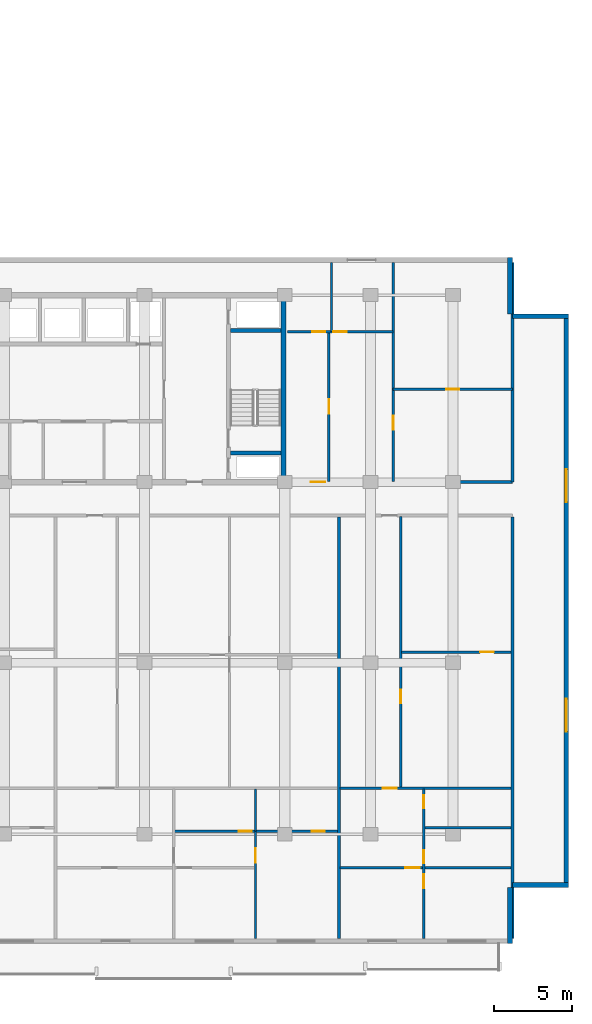
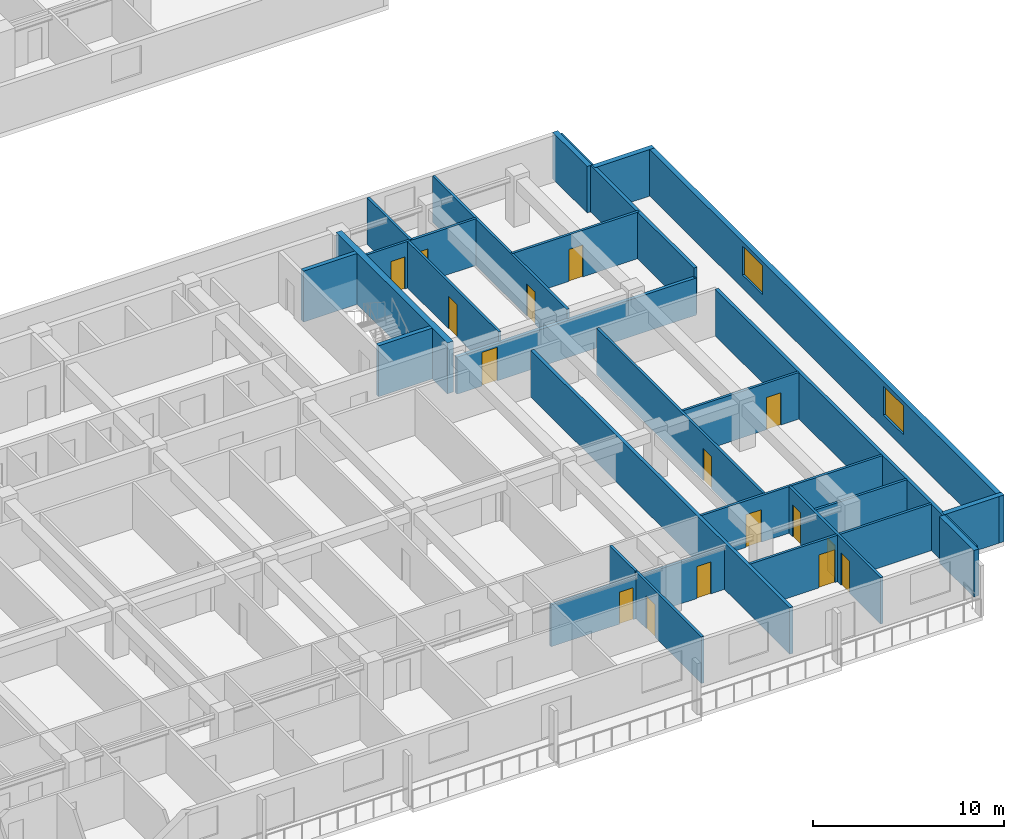
# One storey, part 8 of 23: 26 walls, 16 doors, 2 windows, 18 openings.
"""IFC4 building model written with IfcOpenShell, lengths in metres."""

import ifcopenshell
import ifcopenshell.guid

model = None  # the IFC model being written
_history = None  # IfcOwnerHistory: only IFC2X3 demands one
_inside = {}  # id of a spatial element -> (the spatial element, [elements in it])
_under = {}  # id of a project, library or spatial element -> (it, [spatial elements below it])
_declared = {}  # id of a project -> (the project, [libraries it declares])
_typed = {}  # id of a type object -> (the type object, [elements of that type])
_made_of = {}  # id of a material, layer set ... -> (it, [elements and type objects made of it])


def new_model(schema):
    """Start an empty IFC model of exactly this schema.

    Asked for "IFC4X3", IfcOpenShell would pick the latest addendum, in which some entities
    have other attributes; the version numbers below select the first issue.
    IFC2X3 requires an IfcOwnerHistory on every rooted entity: one is made here for all.
    """
    global model, _history
    if schema == "IFC4X3":
        model = ifcopenshell.file(schema_version=(4, 3, 0, 0))
    else:
        model = ifcopenshell.file(schema=schema)
    _inside.clear()
    _under.clear()
    _declared.clear()
    _typed.clear()
    _made_of.clear()
    _history = None
    if model.schema == "IFC2X3":
        org = make("IfcOrganization", Name="unknown")
        user = make(
            "IfcPersonAndOrganization",
            ThePerson=make("IfcPerson", FamilyName="unknown"),
            TheOrganization=org,
        )
        app = make(
            "IfcApplication",
            ApplicationDeveloper=org,
            Version="unknown",
            ApplicationFullName="unknown",
            ApplicationIdentifier="unknown",
        )
        _history = make(
            "IfcOwnerHistory",
            OwningUser=user,
            OwningApplication=app,
            ChangeAction="ADDED",
            CreationDate=0,
        )
    return model


def make(cls, **values):
    """One entity of the class cls with the attributes given. An attribute that is None is left unset."""
    return model.create_entity(
        cls, **{name: value for name, value in values.items() if value is not None}
    )


def rooted(cls, **values):
    """An entity with a GlobalId (a new one), such as an element, a storey or a relation."""
    return make(cls, GlobalId=ifcopenshell.guid.new(), OwnerHistory=_history, **values)


def si_unit(unit_type, name, prefix=None):
    """IfcSIUnit, for example si_unit("LENGTHUNIT", "METRE", prefix="MILLI")."""
    return make("IfcSIUnit", UnitType=unit_type, Prefix=prefix, Name=name)


def assignment(units):
    """IfcUnitAssignment: the units of a project."""
    return None if units is None else make("IfcUnitAssignment", Units=units)


def point(xyz):
    """IfcCartesianPoint."""
    return None if xyz is None else make("IfcCartesianPoint", Coordinates=xyz)


def direction(xyz):
    """IfcDirection."""
    return None if xyz is None else make("IfcDirection", DirectionRatios=xyz)


def frame(location, z_axis=None, x_axis=None):
    """IfcAxis2Placement3D, a coordinate frame: its origin and axes. An axis left out is left unset."""
    return make(
        "IfcAxis2Placement3D",
        Location=point(location),
        Axis=direction(z_axis),
        RefDirection=direction(x_axis),
    )


def frame_2d(location, x_axis=None):
    """IfcAxis2Placement2D, a coordinate frame in the plane: its origin and x axis."""
    return make(
        "IfcAxis2Placement2D", Location=point(location), RefDirection=direction(x_axis)
    )


def origin():
    """The frame at (0, 0, 0) with its axes left unset."""
    return frame((0.0, 0.0, 0.0))


def place(relative_to, where):
    """IfcLocalPlacement: puts the frame where relative to a parent placement (None: the world)."""
    return make(
        "IfcLocalPlacement", PlacementRelTo=relative_to, RelativePlacement=where
    )


def context(
    kind, dimensions, precision=None, world=None, true_north=None, identifier=None
):
    """IfcGeometricRepresentationContext, for example the 3D "Model" context."""
    return make(
        "IfcGeometricRepresentationContext",
        ContextIdentifier=identifier,
        ContextType=kind,
        CoordinateSpaceDimension=dimensions,
        Precision=precision,
        WorldCoordinateSystem=world,
        TrueNorth=true_north,
    )


def subcontext(parent, identifier, kind, view, scale=None):
    """IfcGeometricRepresentationSubContext, for example "Body" below "Model"."""
    return make(
        "IfcGeometricRepresentationSubContext",
        ContextIdentifier=identifier,
        ContextType=kind,
        ParentContext=parent,
        TargetScale=scale,
        TargetView=view,
    )


def project(units=None, contexts=None):
    """IfcProject with its units and contexts."""
    return rooted(
        "IfcProject",
        Name="project",
        RepresentationContexts=contexts,
        UnitsInContext=assignment(units),
    )


def spatial(cls, under=None, at=None, **own):
    """A site, building, storey or space (cls), placed at a placement, below another one or the project."""
    s = rooted(cls, ObjectPlacement=at, **own)
    if under is not None:
        _under.setdefault(under.id(), (under, []))[1].append(s)
    return s


def profile(cls, at=None, kind="AREA", **sizes):
    """A parametric profile (cls). Its sizes go by their IFC names, for example OverallWidth=200.0."""
    return make(cls, ProfileType=kind, Position=at, **sizes)


def rectangle(**sizes):
    """IfcRectangleProfileDef."""
    return profile("IfcRectangleProfileDef", **sizes)


def extrude(swept, where, along, depth):
    """IfcExtrudedAreaSolid: the profile swept, set in the frame where, extruded along a direction by depth."""
    return make(
        "IfcExtrudedAreaSolid",
        SweptArea=swept,
        Position=where,
        ExtrudedDirection=direction(along),
        Depth=depth,
    )


def shape(context_of_items, identifier, shape_type, items):
    """IfcShapeRepresentation: the items that make up one representation, for example the "Body"."""
    return make(
        "IfcShapeRepresentation",
        ContextOfItems=context_of_items,
        RepresentationIdentifier=identifier,
        RepresentationType=shape_type,
        Items=items,
    )


def material(Name=None, Category=None):
    """IfcMaterial."""
    return make("IfcMaterial", Name=Name, Category=Category)


def layer(
    of_material, thickness, ventilated=None, Name=None, Category=None, Priority=None
):
    """IfcMaterialLayer: one layer of a wall or slab, of a material (None: an air gap)."""
    return make(
        "IfcMaterialLayer",
        Material=of_material,
        LayerThickness=thickness,
        IsVentilated=ventilated,
        Name=Name,
        Category=Category,
        Priority=Priority,
    )


def layer_set(layers, Name=None):
    """IfcMaterialLayerSet."""
    return make("IfcMaterialLayerSet", MaterialLayers=layers, LayerSetName=Name)


def made_of(thing, what):
    """Note that an element or type object is made of a material, layer set ...; save() writes the relation."""
    if what is not None:
        _made_of.setdefault(what.id(), (what, []))[1].append(thing)
    return thing


def type_object(cls, material=None, **own):
    """A type object (cls), such as IfcWallType, which elements share."""
    return made_of(rooted(cls, **own), material)


def element(
    cls,
    number,
    at=None,
    inside=None,
    cuts=None,
    type_object=None,
    material=None,
    context=None,
    identifier="Body",
    shape_type=None,
    held_by="IfcProductDefinitionShape",
    body=None,
    shapes=None,
    **own,
):
    """One element of the class cls, such as IfcWall. Its Tag is "e" and its number.

    at: its placement. inside: the storey or other place that contains it. cuts: it is an
    opening in that element (IfcRelVoidsElement). A single representation is given by context,
    identifier, shape_type and body (its items); several are given by shapes. held_by: the class
    of the entity that holds the representations. save() writes the other relations.
    """
    e = rooted(cls, Tag="e%d" % number, ObjectPlacement=at, **own)
    if body is not None:
        shapes = [shape(context, identifier, shape_type, body)]
    if shapes is not None:
        e.Representation = make(held_by, Representations=shapes)
    if inside is not None:
        _inside.setdefault(inside.id(), (inside, []))[1].append(e)
    if cuts is not None:
        rooted(
            "IfcRelVoidsElement", RelatingBuildingElement=cuts, RelatedOpeningElement=e
        )
    if type_object is not None:
        _typed.setdefault(type_object.id(), (type_object, []))[1].append(e)
    return made_of(e, material)


def fill(opening, filler):
    """IfcRelFillsElement: the door or window that sits in an opening."""
    return rooted(
        "IfcRelFillsElement",
        RelatingOpeningElement=opening,
        RelatedBuildingElement=filler,
    )


def aggregate(whole, parts):
    """IfcRelAggregates: a whole, such as a stair, and the parts it consists of."""
    return rooted("IfcRelAggregates", RelatingObject=whole, RelatedObjects=parts)


def save(model, path):
    """Write the relations noted so far, then the file.

    IfcRelAggregates (storeys below a building ...), IfcRelContainedInSpatialStructure (elements
    in a storey), IfcRelDefinesByType, IfcRelAssociatesMaterial and IfcRelDeclares: one each for
    every whole, place, type object, material and project.
    """
    for whole, parts in _under.values():
        aggregate(whole, parts)
    for where, things in _inside.values():
        rooted(
            "IfcRelContainedInSpatialStructure",
            RelatedElements=things,
            RelatingStructure=where,
        )
    for kind, things in _typed.values():
        rooted("IfcRelDefinesByType", RelatedObjects=things, RelatingType=kind)
    for what, things in _made_of.values():
        rooted("IfcRelAssociatesMaterial", RelatedObjects=things, RelatingMaterial=what)
    for by, libraries in _declared.values():
        rooted("IfcRelDeclares", RelatingContext=by, RelatedDefinitions=libraries)
    model.write(path)


model = new_model("IFC4")

# Units and contexts
model_context = context("Model", 3, precision=1e-05, world=origin(), true_north=direction((0.0, 1.0)))
body_context = subcontext(model_context, "Body", "Model", "MODEL_VIEW")
ifc_project = project(units=[si_unit("LENGTHUNIT", "METRE"), si_unit("AREAUNIT", "SQUARE_METRE"), si_unit("VOLUMEUNIT", "CUBIC_METRE"), si_unit("PLANEANGLEUNIT", "RADIAN"), si_unit("MASSUNIT", "GRAM", prefix="KILO")], contexts=[model_context])

# Site, building, storey
site_placement = place(None, origin())
site = spatial("IfcSite", under=ifc_project, at=site_placement, CompositionType="ELEMENT")
building_placement = place(site_placement, origin())
building = spatial("IfcBuilding", under=site, at=building_placement, Name="Korimba Cascade Residences", CompositionType="ELEMENT")
storey_placement = place(building_placement, frame((0.0, 0.0, 46.75)))
storey = spatial("IfcBuildingStorey", under=building, at=storey_placement, Name="L12", CompositionType="ELEMENT", Elevation=46.75)

# Walls
ifc_material_1 = material(Name="Precast concrete C40/50", Category="concrete")
ifc_layer_1 = layer(ifc_material_1, 0.300048828125)
ifc_layer_set_1 = layer_set([ifc_layer_1], Name="Precast concrete C40/50")
wall_type_1 = type_object("IfcWallType", Name="EW-STONE-300", PredefinedType="STANDARD", material=ifc_layer_set_1)
wall_1_placement = place(storey_placement, frame((132.550048828125, -11.199951171875, 0.0), z_axis=(0.0, 0.0, 1.0), x_axis=(0.0, 1.0, 0.0)))
element("IfcWall", 1, at=wall_1_placement, inside=storey, type_object=wall_type_1, Name="L12 T2 Perimeter Stone Wall E01", PredefinedType="STANDARD", context=body_context, shape_type="SweptSolid", body=[
    extrude(rectangle(XDim=3.599853515625, YDim=0.300048828125, at=frame_2d((1.7998046875, 0.0))), origin(), (0.0, 0.0, 1.0), 2.969970703125),
])
wall_2_placement = place(storey_placement, frame((132.699951171875, -7.449951171875, 0.0), z_axis=(0.0, 0.0, 1.0), x_axis=(1.0, 0.0, 0.0)))
element("IfcWall", 2, at=wall_2_placement, inside=storey, type_object=wall_type_1, Name="L12 T2 Perimeter Stone Wall E02", PredefinedType="STANDARD", context=body_context, shape_type="SweptSolid", body=[
    extrude(rectangle(XDim=3.60009765625, YDim=0.300048828125, at=frame_2d((1.800048828125, 0.0))), origin(), (0.0, 0.0, 1.0), 2.969970703125),
])

# Wall, openings, windows
wall_3_placement = place(storey_placement, frame((136.14990234375, -7.60009765625, 0.0), z_axis=(0.0, 0.0, 1.0), x_axis=(0.0, 1.0, 0.0)))
wall_3 = element("IfcWall", 3, at=wall_3_placement, inside=storey, type_object=wall_type_1, Name="L12 T2 Perimeter Stone Wall E03", PredefinedType="STANDARD", context=body_context, shape_type="SweptSolid", body=[
    extrude(rectangle(XDim=36.800048828125, YDim=0.300048828125, at=frame_2d((18.39990234375, 0.0))), origin(), (0.0, 0.0, 1.0), 2.969970703125),
])
opening_1_placement = place(wall_3_placement, frame((9.989990234375, 0.0, 0.85009765625)))
opening_1 = element("IfcOpeningElement", 4, at=opening_1_placement, cuts=wall_3, Name="Opening W-03", PredefinedType="OPENING", context=body_context, shape_type="SweptSolid", body=[
    extrude(rectangle(XDim=2.10009765625, YDim=1.85009765625, at=frame_2d((1.050048828125, 0.925048828125))), frame((0.0, 0.16015625, 0.0), z_axis=(0.0, -1.0, 0.0), x_axis=(1.0, 0.0, 0.0)), (0.0, 0.0, 1.0), 0.320068359375),
])
opening_2_placement = place(wall_3_placement, frame((24.7099609375, 0.0, 0.85009765625)))
opening_2 = element("IfcOpeningElement", 5, at=opening_2_placement, cuts=wall_3, Name="Opening W-03", PredefinedType="OPENING", context=body_context, shape_type="SweptSolid", body=[
    extrude(rectangle(XDim=2.10009765625, YDim=1.85009765625, at=frame_2d((1.050048828125, 0.925048828125))), frame((0.0, 0.16015625, 0.0), z_axis=(0.0, -1.0, 0.0), x_axis=(1.0, 0.0, 0.0)), (0.0, 0.0, 1.0), 0.320068359375),
])
ifc_material_2 = material(Name="Double-Glazed Aluminium Window", Category="aluminium")
window_type = type_object("IfcWindowType", Name="WIN-CRN-2100", PartitioningType="DOUBLE_PANEL_HORIZONTAL", PredefinedType="WINDOW", material=ifc_material_2)
window_1_placement = place(opening_1_placement, origin())
window_1 = element("IfcWindow", 6, at=window_1_placement, inside=storey, type_object=window_type, Name="L12 T2 End View Window 3.1", OverallHeight=1.85009765625, OverallWidth=2.10009765625, PartitioningType="DOUBLE_PANEL_HORIZONTAL", PredefinedType="WINDOW", context=body_context, shape_type="SweptSolid", body=[
    extrude(rectangle(XDim=2.10009765625, YDim=1.85009765625, at=frame_2d((1.050048828125, 0.925048828125))), frame((0.0, 0.030029296875, 0.0), z_axis=(0.0, -1.0, 0.0), x_axis=(1.0, 0.0, 0.0)), (0.0, 0.0, 1.0), 0.06005859375),
])
fill(opening_1, window_1)
window_2_placement = place(opening_2_placement, origin())
window_2 = element("IfcWindow", 7, at=window_2_placement, inside=storey, type_object=window_type, Name="L12 T2 End View Window 3.2", OverallHeight=1.85009765625, OverallWidth=2.10009765625, PartitioningType="DOUBLE_PANEL_HORIZONTAL", PredefinedType="WINDOW", context=body_context, shape_type="SweptSolid", body=[
    extrude(rectangle(XDim=2.10009765625, YDim=1.85009765625, at=frame_2d((1.050048828125, 0.925048828125))), frame((0.0, 0.030029296875, 0.0), z_axis=(0.0, -1.0, 0.0), x_axis=(1.0, 0.0, 0.0)), (0.0, 0.0, 1.0), 0.06005859375),
])
fill(opening_2, window_2)

# Walls
for number, where, z_axis, x_axis, name in (
    (8, (136.300048828125, 29.050048828125, 0.0), (0.0, 0.0, 1.0), (-1.0, 0.0, 0.0), "L12 T2 Perimeter Stone Wall E04"),
    (9, (132.550048828125, 29.199951171875, 0.0), (0.0, 0.0, 1.0), (0.0, 1.0, 0.0), "L12 T2 Perimeter Stone Wall E05"),
):
    element("IfcWall", number, at=place(storey_placement, frame(where, z_axis=z_axis, x_axis=x_axis)), inside=storey, type_object=wall_type_1, Name=name, PredefinedType="STANDARD", context=body_context, shape_type="SweptSolid", body=[
        extrude(rectangle(XDim=3.60009765625, YDim=0.300048828125, at=frame_2d((1.800048828125, 0.0))), origin(), (0.0, 0.0, 1.0), 2.969970703125),
    ])
ifc_material_3 = material(Name="Concrete C65/80", Category="concrete")
ifc_layer_2 = layer(ifc_material_3, 0.35009765625)
ifc_layer_set_2 = layer_set([ifc_layer_2], Name="Concrete C65/80")
wall_type_2 = type_object("IfcWallType", Name="WAL-CORE-350", PredefinedType="SHEAR", material=ifc_layer_set_2)
wall_4_placement = place(storey_placement, frame((118.014892578125, 18.574951171875, 0.0), z_axis=(0.0, 0.0, 1.0), x_axis=(0.0, 1.0, 0.0)))
element("IfcWall", 10, at=wall_4_placement, inside=storey, type_object=wall_type_2, Name="L12 Core Shear Wall CW-L12-T2-E", PredefinedType="SHEAR", context=body_context, shape_type="SweptSolid", body=[
    extrude(rectangle(XDim=11.650146484375, YDim=0.35009765625, at=frame_2d((5.8251953125, 0.0))), origin(), (0.0, 0.0, 1.0), 3.25),
])
ifc_layer_3 = layer(ifc_material_1, 0.199951171875)
ifc_layer_set_3 = layer_set([ifc_layer_3], Name="Precast concrete C40/50")
wall_type_3 = type_object("IfcWallType", Name="WAL-IT-200", PredefinedType="PARTITIONING", material=ifc_layer_set_3)
wall_5_placement = place(storey_placement, frame((132.699951171875, 18.39990234375, 0.0), z_axis=(0.0, 0.0, 1.0), x_axis=(0.0, 1.0, 0.0)))
element("IfcWall", 11, at=wall_5_placement, inside=storey, type_object=wall_type_3, Name="L12 Partition Wall WAL-L12-T2-FE-WR", PredefinedType="PARTITIONING", context=body_context, shape_type="SweptSolid", body=[
    extrude(rectangle(XDim=14.10009765625, YDim=0.199951171875, at=frame_2d((7.050048828125, 0.0))), origin(), (0.0, 0.0, 1.0), 2.969970703125),
])

# Wall, opening, door
wall_6_placement = place(storey_placement, frame((118.25, 18.39990234375, 0.0), z_axis=(0.0, 0.0, 1.0), x_axis=(1.0, 0.0, 0.0)))
wall_6 = element("IfcWall", 12, at=wall_6_placement, inside=storey, type_object=wall_type_3, Name="L12 Partition Wall WAL-L12-T2-FE-S", PredefinedType="PARTITIONING", context=body_context, shape_type="SweptSolid", body=[
    extrude(rectangle(XDim=14.449951171875, YDim=0.199951171875, at=frame_2d((7.22509765625, 0.0))), origin(), (0.0, 0.0, 1.0), 2.3701171875),
])
opening_3_placement = place(wall_6_placement, frame((1.510009765625, 0.0, 0.0)))
opening_3 = element("IfcOpeningElement", 13, at=opening_3_placement, cuts=wall_6, Name="Opening D-UN1", PredefinedType="OPENING", context=body_context, shape_type="SweptSolid", body=[
    extrude(rectangle(XDim=0.949951171875, YDim=2.14990234375, at=frame_2d((0.47509765625, 1.074951171875))), frame((0.0, 0.10986328125, 0.0), z_axis=(0.0, -1.0, 0.0), x_axis=(1.0, 0.0, 0.0)), (0.0, 0.0, 1.0), 0.219970703125),
])
ifc_material_4 = material(Name="Fire-Rated Hardwood Apartment Entrance Door", Category="wood")
door_type_1 = type_object("IfcDoorType", Name="DR-FD60-950", OperationType="NOTDEFINED", PredefinedType="DOOR", material=ifc_material_4)
door_1_placement = place(opening_3_placement, origin())
door_1 = element("IfcDoor", 14, at=door_1_placement, inside=storey, type_object=door_type_1, Name="L12-T2-FE Entrance Door", OperationType="SINGLE_SWING_RIGHT", OverallHeight=2.14990234375, OverallWidth=0.949951171875, PredefinedType="DOOR", context=body_context, shape_type="SweptSolid", body=[
    extrude(rectangle(XDim=0.949951171875, YDim=2.14990234375, at=frame_2d((0.47509765625, 1.074951171875))), frame((0.0, 0.02490234375, 0.0), z_axis=(0.0, -1.0, 0.0), x_axis=(1.0, 0.0, 0.0)), (0.0, 0.0, 1.0), 0.050048828125),
])
fill(opening_3, door_1)

# Walls
for number, where, z_axis, x_axis, name in (
    (15, (132.699951171875, -10.89990234375, 0.0), (0.0, 0.0, 1.0), (0.0, 1.0, 0.0), "L12 Partition Wall WAL-L12-T2-BNDWR"),
    (16, (121.570068359375, -10.89990234375, 0.0), (0.0, 0.0, 1.0), (0.0, 1.0, 0.0), "L12 Partition Wall WAL-L12-T2-DEM-3"),
):
    element("IfcWall", number, at=place(storey_placement, frame(where, z_axis=z_axis, x_axis=x_axis)), inside=storey, type_object=wall_type_3, Name=name, PredefinedType="PARTITIONING", context=body_context, shape_type="SweptSolid", body=[
        extrude(rectangle(XDim=27.06982421875, YDim=0.199951171875, at=frame_2d((13.534912109375, 0.0))), origin(), (0.0, 0.0, 1.0), 2.969970703125),
    ])

# Wall, opening, door
ifc_material_5 = material(Name="Insulated Acoustic Stud Partition", Category="gypsum")
ifc_layer_4 = layer(ifc_material_5, 0.14990234375)
ifc_layer_set_4 = layer_set([ifc_layer_4], Name="Insulated Acoustic Stud Partition")
wall_type_4 = type_object("IfcWallType", Name="WAL-PART-150", PredefinedType="PARTITIONING", material=ifc_layer_set_4)
wall_7_placement = place(storey_placement, frame((125.050048828125, 24.35009765625, 0.0), z_axis=(0.0, 0.0, 1.0), x_axis=(1.0, 0.0, 0.0)))
wall_7 = element("IfcWall", 17, at=wall_7_placement, inside=storey, type_object=wall_type_4, Name="L12 Partition Wall WAL-L12-T2-FE-STH", PredefinedType="PARTITIONING", context=body_context, shape_type="SweptSolid", body=[
    extrude(rectangle(XDim=7.64990234375, YDim=0.14990234375, at=frame_2d((3.824951171875, 0.0))), origin(), (0.0, 0.0, 1.0), 2.969970703125),
])
opening_4_placement = place(wall_7_placement, frame((3.405029296875, 0.0, 0.0)))
opening_4 = element("IfcOpeningElement", 18, at=opening_4_placement, cuts=wall_7, Name="Opening D-BT1", PredefinedType="OPENING", context=body_context, shape_type="SweptSolid", body=[
    extrude(rectangle(XDim=0.840087890625, YDim=2.0400390625, at=frame_2d((0.419921875, 1.02001953125))), frame((0.0, 0.0849609375, 0.0), z_axis=(0.0, -1.0, 0.0), x_axis=(1.0, 0.0, 0.0)), (0.0, 0.0, 1.0), 0.169921875),
])
ifc_material_6 = material(Name="Moisture-Resistant Bathroom Timber Door", Category="wood")
door_type_2 = type_object("IfcDoorType", Name="DR-INT-850", OperationType="NOTDEFINED", PredefinedType="DOOR", material=ifc_material_6)
door_2_placement = place(opening_4_placement, origin())
door_2 = element("IfcDoor", 19, at=door_2_placement, inside=storey, type_object=door_type_2, Name="L12-T2-FE Dressing Store Door", OperationType="SINGLE_SWING_LEFT", OverallHeight=2.0400390625, OverallWidth=0.840087890625, PredefinedType="DOOR", context=body_context, shape_type="SweptSolid", body=[
    extrude(rectangle(XDim=0.840087890625, YDim=2.0400390625, at=frame_2d((0.419921875, 1.02001953125))), frame((0.0, 0.02490234375, 0.0), z_axis=(0.0, -1.0, 0.0), x_axis=(1.0, 0.0, 0.0)), (0.0, 0.0, 1.0), 0.050048828125),
])
fill(opening_4, door_2)

wall_8_placement = place(storey_placement, frame((125.050048828125, 18.449951171875, 0.0), z_axis=(0.0, 0.0, 1.0), x_axis=(0.0, 1.0, 0.0)))
wall_8 = element("IfcWall", 20, at=wall_8_placement, inside=storey, type_object=wall_type_4, Name="L12 Partition Wall WAL-L12-T2-FE-STV", PredefinedType="PARTITIONING", context=body_context, shape_type="SweptSolid", body=[
    extrude(rectangle(XDim=14.050048828125, YDim=0.14990234375, at=frame_2d((7.02490234375, 0.0))), origin(), (0.0, 0.0, 1.0), 2.969970703125),
])
opening_5_placement = place(wall_8_placement, frame((3.320068359375, 0.0, 0.0)))
opening_5 = element("IfcOpeningElement", 21, at=opening_5_placement, cuts=wall_8, Name="Opening D-IN2", PredefinedType="OPENING", context=body_context, shape_type="SweptSolid", body=[
    extrude(rectangle(XDim=0.8798828125, YDim=2.06005859375, at=frame_2d((0.43994140625, 1.030029296875))), frame((0.0, 0.0849609375, 0.0), z_axis=(0.0, -1.0, 0.0), x_axis=(1.0, 0.0, 0.0)), (0.0, 0.0, 1.0), 0.169921875),
])
ifc_material_7 = material(Name="Acoustic Timber Bedroom Door", Category="wood")
door_type_3 = type_object("IfcDoorType", Name="DR-INT-880", OperationType="NOTDEFINED", PredefinedType="DOOR", material=ifc_material_7)
door_3_placement = place(opening_5_placement, origin())
door_3 = element("IfcDoor", 22, at=door_3_placement, inside=storey, type_object=door_type_3, Name="L12-T2-FE Study Door", OperationType="SINGLE_SWING_RIGHT", OverallHeight=2.06005859375, OverallWidth=0.8798828125, PredefinedType="DOOR", context=body_context, shape_type="SweptSolid", body=[
    extrude(rectangle(XDim=0.8798828125, YDim=2.06005859375, at=frame_2d((0.43994140625, 1.030029296875))), frame((0.0, 0.02490234375, 0.0), z_axis=(0.0, -1.0, 0.0), x_axis=(1.0, 0.0, 0.0)), (0.0, 0.0, 1.0), 0.050048828125),
])
fill(opening_5, door_3)

wall_9_placement = place(storey_placement, frame((120.929931640625, 18.449951171875, 0.0), z_axis=(0.0, 0.0, 1.0), x_axis=(0.0, 1.0, 0.0)))
wall_9 = element("IfcWall", 23, at=wall_9_placement, inside=storey, type_object=wall_type_4, Name="L12 Partition Wall WAL-L12-T2-FE-VS", PredefinedType="PARTITIONING", context=body_context, shape_type="SweptSolid", body=[
    extrude(rectangle(XDim=9.60009765625, YDim=0.14990234375, at=frame_2d((4.800048828125, 0.0))), origin(), (0.0, 0.0, 1.0), 2.969970703125),
])
opening_6_placement = place(wall_9_placement, frame((4.340087890625, 0.0, 0.0)))
opening_6 = element("IfcOpeningElement", 24, at=opening_6_placement, cuts=wall_9, Name="Opening D-IN1", PredefinedType="OPENING", context=body_context, shape_type="SweptSolid", body=[
    extrude(rectangle(XDim=0.919921875, YDim=2.080078125, at=frame_2d((0.4599609375, 1.0400390625))), frame((0.0, 0.0849609375, 0.0), z_axis=(0.0, -1.0, 0.0), x_axis=(1.0, 0.0, 0.0)), (0.0, 0.0, 1.0), 0.169921875),
])
ifc_material_8 = material(Name="Acoustic Timber Living Door", Category="wood")
door_type_4 = type_object("IfcDoorType", Name="DR-INT-920", OperationType="NOTDEFINED", PredefinedType="DOOR", material=ifc_material_8)
door_4_placement = place(opening_6_placement, origin())
door_4 = element("IfcDoor", 25, at=door_4_placement, inside=storey, type_object=door_type_4, Name="L12-T2-FE Living Door", OperationType="SINGLE_SWING_LEFT", OverallHeight=2.080078125, OverallWidth=0.919921875, PredefinedType="DOOR", context=body_context, shape_type="SweptSolid", body=[
    extrude(rectangle(XDim=0.919921875, YDim=2.080078125, at=frame_2d((0.4599609375, 1.0400390625))), frame((0.0, 0.02490234375, 0.0), z_axis=(0.0, -1.0, 0.0), x_axis=(1.0, 0.0, 0.0)), (0.0, 0.0, 1.0), 0.050048828125),
])
fill(opening_6, door_4)

# Wall
wall_10_placement = place(storey_placement, frame((121.10009765625, 28.050048828125, 0.0), z_axis=(0.0, 0.0, 1.0), x_axis=(0.0, 1.0, 0.0)))
element("IfcWall", 26, at=wall_10_placement, inside=storey, type_object=wall_type_4, Name="L12 Partition Wall WAL-L12-T2-FE-VN", PredefinedType="PARTITIONING", context=body_context, shape_type="SweptSolid", body=[
    extrude(rectangle(XDim=4.449951171875, YDim=0.14990234375, at=frame_2d((2.22509765625, 0.0))), origin(), (0.0, 0.0, 1.0), 2.969970703125),
])

# Wall, openings, doors
wall_11_placement = place(storey_placement, frame((118.27001953125, 28.050048828125, 0.0), z_axis=(0.0, 0.0, 1.0), x_axis=(1.0, 0.0, 0.0)))
wall_11 = element("IfcWall", 27, at=wall_11_placement, inside=storey, type_object=wall_type_4, Name="L12 Partition Wall WAL-L12-T2-FE-H", PredefinedType="PARTITIONING", context=body_context, shape_type="SweptSolid", body=[
    extrude(rectangle(XDim=6.760009765625, YDim=0.14990234375, at=frame_2d((3.3798828125, 0.0))), origin(), (0.0, 0.0, 1.0), 2.969970703125),
])
opening_7_placement = place(wall_11_placement, frame((1.58740234375, 0.0, 0.0)))
opening_7 = element("IfcOpeningElement", 28, at=opening_7_placement, cuts=wall_11, Name="Opening D-BT1", PredefinedType="OPENING", context=body_context, shape_type="SweptSolid", body=[
    extrude(rectangle(XDim=0.840087890625, YDim=2.0400390625, at=frame_2d((0.419921875, 1.02001953125))), frame((0.0, 0.0849609375, 0.0), z_axis=(0.0, -1.0, 0.0), x_axis=(1.0, 0.0, 0.0)), (0.0, 0.0, 1.0), 0.169921875),
])
opening_8_placement = place(wall_11_placement, frame((2.93408203125, 0.0, 0.0)))
opening_8 = element("IfcOpeningElement", 29, at=opening_8_placement, cuts=wall_11, Name="Opening D-IN2", PredefinedType="OPENING", context=body_context, shape_type="SweptSolid", body=[
    extrude(rectangle(XDim=0.8798828125, YDim=2.06005859375, at=frame_2d((0.43994140625, 1.030029296875))), frame((0.0, 0.0849609375, 0.0), z_axis=(0.0, -1.0, 0.0), x_axis=(1.0, 0.0, 0.0)), (0.0, 0.0, 1.0), 0.169921875),
])
door_5_placement = place(opening_7_placement, origin())
door_5 = element("IfcDoor", 30, at=door_5_placement, inside=storey, type_object=door_type_2, Name="L12-T2-FE Bathroom Door", OperationType="SINGLE_SWING_RIGHT", OverallHeight=2.0400390625, OverallWidth=0.840087890625, PredefinedType="DOOR", context=body_context, shape_type="SweptSolid", body=[
    extrude(rectangle(XDim=0.840087890625, YDim=2.0400390625, at=frame_2d((0.419921875, 1.02001953125))), frame((0.0, 0.02490234375, 0.0), z_axis=(0.0, -1.0, 0.0), x_axis=(1.0, 0.0, 0.0)), (0.0, 0.0, 1.0), 0.050048828125),
])
fill(opening_7, door_5)
door_6_placement = place(opening_8_placement, origin())
door_6 = element("IfcDoor", 31, at=door_6_placement, inside=storey, type_object=door_type_3, Name="L12-T2-FE Bedroom Door", OperationType="SINGLE_SWING_LEFT", OverallHeight=2.06005859375, OverallWidth=0.8798828125, PredefinedType="DOOR", context=body_context, shape_type="SweptSolid", body=[
    extrude(rectangle(XDim=0.8798828125, YDim=2.06005859375, at=frame_2d((0.43994140625, 1.030029296875))), frame((0.0, 0.02490234375, 0.0), z_axis=(0.0, -1.0, 0.0), x_axis=(1.0, 0.0, 0.0)), (0.0, 0.0, 1.0), 0.050048828125),
])
fill(opening_8, door_6)

# Wall
wall_12_placement = place(storey_placement, frame((116.219970703125, -3.97998046875, 0.0), z_axis=(0.0, 0.0, 1.0), x_axis=(0.0, 1.0, 0.0)))
element("IfcWall", 32, at=wall_12_placement, inside=storey, type_object=wall_type_4, Name="L12 Partition Wall WAL-L12-T2-U03-VBATH", PredefinedType="PARTITIONING", context=body_context, shape_type="SweptSolid", body=[
    extrude(rectangle(XDim=2.68994140625, YDim=0.14990234375, at=frame_2d((1.344970703125, 0.0))), origin(), (0.0, 0.0, 1.0), 2.969970703125),
])

# Wall, opening, door
wall_13_placement = place(storey_placement, frame((116.219970703125, -10.89990234375, 0.0), z_axis=(0.0, 0.0, 1.0), x_axis=(0.0, 1.0, 0.0)))
wall_13 = element("IfcWall", 33, at=wall_13_placement, inside=storey, type_object=wall_type_4, Name="L12 Partition Wall WAL-L12-T2-U03-V2FULL", PredefinedType="PARTITIONING", context=body_context, shape_type="SweptSolid", body=[
    extrude(rectangle(XDim=6.8798828125, YDim=0.14990234375, at=frame_2d((3.43994140625, 0.0))), origin(), (0.0, 0.0, 1.0), 2.969970703125),
])
opening_9_placement = place(wall_13_placement, frame((4.8701171875, 0.0, 0.0)))
opening_9 = element("IfcOpeningElement", 34, at=opening_9_placement, cuts=wall_13, Name="Opening D-IN1", PredefinedType="OPENING", context=body_context, shape_type="SweptSolid", body=[
    extrude(rectangle(XDim=0.919921875, YDim=2.080078125, at=frame_2d((0.4599609375, 1.0400390625))), frame((0.0, 0.0849609375, 0.0), z_axis=(0.0, -1.0, 0.0), x_axis=(1.0, 0.0, 0.0)), (0.0, 0.0, 1.0), 0.169921875),
])
door_7_placement = place(opening_9_placement, origin())
door_7 = element("IfcDoor", 35, at=door_7_placement, inside=storey, type_object=door_type_4, Name="L12-T2-U03 Master Bedroom Door", OperationType="SINGLE_SWING_RIGHT", OverallHeight=2.080078125, OverallWidth=0.919921875, PredefinedType="DOOR", context=body_context, shape_type="SweptSolid", body=[
    extrude(rectangle(XDim=0.919921875, YDim=2.080078125, at=frame_2d((0.4599609375, 1.0400390625))), frame((0.0, 0.02490234375, 0.0), z_axis=(0.0, -1.0, 0.0), x_axis=(1.0, 0.0, 0.0)), (0.0, 0.0, 1.0), 0.050048828125),
])
fill(opening_9, door_7)

# Wall, openings, doors
wall_14_placement = place(storey_placement, frame((111.02001953125, -4.0, 0.0), z_axis=(0.0, 0.0, 1.0), x_axis=(1.0, 0.0, 0.0)))
wall_14 = element("IfcWall", 36, at=wall_14_placement, inside=storey, type_object=wall_type_4, Name="L12 Partition Wall WAL-L12-T2-U03-HWALL", PredefinedType="PARTITIONING", context=body_context, shape_type="SweptSolid", body=[
    extrude(rectangle(XDim=10.469970703125, YDim=0.14990234375, at=frame_2d((5.23486328125, 0.0))), origin(), (0.0, 0.0, 1.0), 2.663330078125),
])
opening_10_placement = place(wall_14_placement, frame((4.110107421875, 0.0, 0.0)))
opening_10 = element("IfcOpeningElement", 37, at=opening_10_placement, cuts=wall_14, Name="Opening D-BT1", PredefinedType="OPENING", context=body_context, shape_type="SweptSolid", body=[
    extrude(rectangle(XDim=0.840087890625, YDim=2.0400390625, at=frame_2d((0.419921875, 1.02001953125))), frame((0.0, 0.0849609375, 0.0), z_axis=(0.0, -1.0, 0.0), x_axis=(1.0, 0.0, 0.0)), (0.0, 0.0, 1.0), 0.169921875),
])
opening_11_placement = place(wall_14_placement, frame((8.79541015625, 0.0, 0.0)))
opening_11 = element("IfcOpeningElement", 38, at=opening_11_placement, cuts=wall_14, Name="Opening D-BT1", PredefinedType="OPENING", context=body_context, shape_type="SweptSolid", body=[
    extrude(rectangle(XDim=0.840087890625, YDim=2.0400390625, at=frame_2d((0.419921875, 1.02001953125))), frame((0.0, 0.0849609375, 0.0), z_axis=(0.0, -1.0, 0.0), x_axis=(1.0, 0.0, 0.0)), (0.0, 0.0, 1.0), 0.169921875),
])
door_8_placement = place(opening_10_placement, origin())
door_8 = element("IfcDoor", 39, at=door_8_placement, inside=storey, type_object=door_type_2, Name="L12-T2-U03 Family Bathroom Door", OperationType="SINGLE_SWING_LEFT", OverallHeight=2.0400390625, OverallWidth=0.840087890625, PredefinedType="DOOR", context=body_context, shape_type="SweptSolid", body=[
    extrude(rectangle(XDim=0.840087890625, YDim=2.0400390625, at=frame_2d((0.419921875, 1.02001953125))), frame((0.0, 0.02490234375, 0.0), z_axis=(0.0, -1.0, 0.0), x_axis=(1.0, 0.0, 0.0)), (0.0, 0.0, 1.0), 0.050048828125),
])
fill(opening_10, door_8)
door_9_placement = place(opening_11_placement, origin())
door_9 = element("IfcDoor", 40, at=door_9_placement, inside=storey, type_object=door_type_2, Name="L12-T2-U03 En-Suite Door", OperationType="SINGLE_SWING_RIGHT", OverallHeight=2.0400390625, OverallWidth=0.840087890625, PredefinedType="DOOR", context=body_context, shape_type="SweptSolid", body=[
    extrude(rectangle(XDim=0.840087890625, YDim=2.0400390625, at=frame_2d((0.419921875, 1.02001953125))), frame((0.0, 0.02490234375, 0.0), z_axis=(0.0, -1.0, 0.0), x_axis=(1.0, 0.0, 0.0)), (0.0, 0.0, 1.0), 0.050048828125),
])
fill(opening_11, door_9)

# Wall, opening, door
wall_15_placement = place(storey_placement, frame((125.60009765625, 7.489990234375, 0.0), z_axis=(0.0, 0.0, 1.0), x_axis=(1.0, 0.0, 0.0)))
wall_15 = element("IfcWall", 41, at=wall_15_placement, inside=storey, type_object=wall_type_4, Name="L12 Partition Wall WAL-L12-T2-U04-FMH", PredefinedType="PARTITIONING", context=body_context, shape_type="SweptSolid", body=[
    extrude(rectangle(XDim=7.02001953125, YDim=0.14990234375, at=frame_2d((3.510009765625, 0.0))), origin(), (0.0, 0.0, 1.0), 2.969970703125),
])
opening_12_placement = place(wall_15_placement, frame((5.0283203125, 0.0, 0.0)))
opening_12 = element("IfcOpeningElement", 42, at=opening_12_placement, cuts=wall_15, Name="Opening D-IN2", PredefinedType="OPENING", context=body_context, shape_type="SweptSolid", body=[
    extrude(rectangle(XDim=0.8798828125, YDim=2.06005859375, at=frame_2d((0.43994140625, 1.030029296875))), frame((0.0, 0.0849609375, 0.0), z_axis=(0.0, -1.0, 0.0), x_axis=(1.0, 0.0, 0.0)), (0.0, 0.0, 1.0), 0.169921875),
])
door_10_placement = place(opening_12_placement, origin())
door_10 = element("IfcDoor", 43, at=door_10_placement, inside=storey, type_object=door_type_3, Name="L12-T2-U04 Library Salon Door", OperationType="SINGLE_SWING_RIGHT", OverallHeight=2.06005859375, OverallWidth=0.8798828125, PredefinedType="DOOR", context=body_context, shape_type="SweptSolid", body=[
    extrude(rectangle(XDim=0.8798828125, YDim=2.06005859375, at=frame_2d((0.43994140625, 1.030029296875))), frame((0.0, 0.02490234375, 0.0), z_axis=(0.0, -1.0, 0.0), x_axis=(1.0, 0.0, 0.0)), (0.0, 0.0, 1.0), 0.050048828125),
])
fill(opening_12, door_10)

wall_16_placement = place(storey_placement, frame((125.5400390625, -1.2099609375, 0.0), z_axis=(0.0, 0.0, 1.0), x_axis=(0.0, 1.0, 0.0)))
wall_16 = element("IfcWall", 44, at=wall_16_placement, inside=storey, type_object=wall_type_4, Name="L12 Partition Wall WAL-L12-T2-U04-FV", PredefinedType="PARTITIONING", context=body_context, shape_type="SweptSolid", body=[
    extrude(rectangle(XDim=17.39990234375, YDim=0.14990234375, at=frame_2d((8.699951171875, 0.0))), origin(), (0.0, 0.0, 1.0), 2.969970703125),
])
opening_13_placement = place(wall_16_placement, frame((5.404052734375, 0.0, 0.0)))
opening_13 = element("IfcOpeningElement", 45, at=opening_13_placement, cuts=wall_16, Name="Opening D-IN2", PredefinedType="OPENING", context=body_context, shape_type="SweptSolid", body=[
    extrude(rectangle(XDim=0.8798828125, YDim=2.06005859375, at=frame_2d((0.43994140625, 1.030029296875))), frame((0.0, 0.0849609375, 0.0), z_axis=(0.0, -1.0, 0.0), x_axis=(1.0, 0.0, 0.0)), (0.0, 0.0, 1.0), 0.169921875),
])
door_11_placement = place(opening_13_placement, origin())
door_11 = element("IfcDoor", 46, at=door_11_placement, inside=storey, type_object=door_type_3, Name="L12-T2-U04 Media Lounge Door", OperationType="SINGLE_SWING_LEFT", OverallHeight=2.06005859375, OverallWidth=0.8798828125, PredefinedType="DOOR", context=body_context, shape_type="SweptSolid", body=[
    extrude(rectangle(XDim=0.8798828125, YDim=2.06005859375, at=frame_2d((0.43994140625, 1.030029296875))), frame((0.0, 0.02490234375, 0.0), z_axis=(0.0, -1.0, 0.0), x_axis=(1.0, 0.0, 0.0)), (0.0, 0.0, 1.0), 0.050048828125),
])
fill(opening_13, door_11)

# Wall
wall_17_placement = place(storey_placement, frame((127.080078125, -3.7900390625, 0.0), z_axis=(0.0, 0.0, 1.0), x_axis=(1.0, 0.0, 0.0)))
element("IfcWall", 47, at=wall_17_placement, inside=storey, type_object=wall_type_4, Name="L12 Partition Wall WAL-L12-T2-U04-BLDIV", PredefinedType="PARTITIONING", context=body_context, shape_type="SweptSolid", body=[
    extrude(rectangle(XDim=5.5400390625, YDim=0.14990234375, at=frame_2d((2.77001953125, 0.0))), origin(), (0.0, 0.0, 1.0), 2.969970703125),
])

# Wall, openings, doors
wall_18_placement = place(storey_placement, frame((127.02001953125, -10.89990234375, 0.0), z_axis=(0.0, 0.0, 1.0), x_axis=(0.0, 1.0, 0.0)))
wall_18 = element("IfcWall", 48, at=wall_18_placement, inside=storey, type_object=wall_type_4, Name="L12 Partition Wall WAL-L12-T2-U04-V1", PredefinedType="PARTITIONING", context=body_context, shape_type="SweptSolid", body=[
    extrude(rectangle(XDim=9.60986328125, YDim=0.14990234375, at=frame_2d((4.804931640625, 0.0))), origin(), (0.0, 0.0, 1.0), 2.969970703125),
])
opening_14_placement = place(wall_18_placement, frame((4.85009765625, 0.0, 0.0)))
opening_14 = element("IfcOpeningElement", 49, at=opening_14_placement, cuts=wall_18, Name="Opening D-BT1", PredefinedType="OPENING", context=body_context, shape_type="SweptSolid", body=[
    extrude(rectangle(XDim=0.840087890625, YDim=2.0400390625, at=frame_2d((0.419921875, 1.02001953125))), frame((0.0, 0.0849609375, 0.0), z_axis=(0.0, -1.0, 0.0), x_axis=(1.0, 0.0, 0.0)), (0.0, 0.0, 1.0), 0.169921875),
])
opening_15_placement = place(wall_18_placement, frame((8.3564453125, 0.0, 0.0)))
opening_15 = element("IfcOpeningElement", 50, at=opening_15_placement, cuts=wall_18, Name="Opening D-BT1", PredefinedType="OPENING", context=body_context, shape_type="SweptSolid", body=[
    extrude(rectangle(XDim=0.840087890625, YDim=2.0400390625, at=frame_2d((0.419921875, 1.02001953125))), frame((0.0, 0.0849609375, 0.0), z_axis=(0.0, -1.0, 0.0), x_axis=(1.0, 0.0, 0.0)), (0.0, 0.0, 1.0), 0.169921875),
])
opening_16_placement = place(wall_18_placement, frame((3.25, 0.0, 0.0)))
opening_16 = element("IfcOpeningElement", 51, at=opening_16_placement, cuts=wall_18, Name="Opening D-IN2", PredefinedType="OPENING", context=body_context, shape_type="SweptSolid", body=[
    extrude(rectangle(XDim=0.8798828125, YDim=2.06005859375, at=frame_2d((0.43994140625, 1.030029296875))), frame((0.0, 0.0849609375, 0.0), z_axis=(0.0, -1.0, 0.0), x_axis=(1.0, 0.0, 0.0)), (0.0, 0.0, 1.0), 0.169921875),
])
door_12_placement = place(opening_14_placement, origin())
door_12 = element("IfcDoor", 52, at=door_12_placement, inside=storey, type_object=door_type_2, Name="L12-T2-U04 Bathroom Door", OperationType="SINGLE_SWING_RIGHT", OverallHeight=2.0400390625, OverallWidth=0.840087890625, PredefinedType="DOOR", context=body_context, shape_type="SweptSolid", body=[
    extrude(rectangle(XDim=0.840087890625, YDim=2.0400390625, at=frame_2d((0.419921875, 1.02001953125))), frame((0.0, 0.02490234375, 0.0), z_axis=(0.0, -1.0, 0.0), x_axis=(1.0, 0.0, 0.0)), (0.0, 0.0, 1.0), 0.050048828125),
])
fill(opening_14, door_12)
door_13_placement = place(opening_15_placement, origin())
door_13 = element("IfcDoor", 53, at=door_13_placement, inside=storey, type_object=door_type_2, Name="L12-T2-U04 Laundry Door", OperationType="SINGLE_SWING_LEFT", OverallHeight=2.0400390625, OverallWidth=0.840087890625, PredefinedType="DOOR", context=body_context, shape_type="SweptSolid", body=[
    extrude(rectangle(XDim=0.840087890625, YDim=2.0400390625, at=frame_2d((0.419921875, 1.02001953125))), frame((0.0, 0.02490234375, 0.0), z_axis=(0.0, -1.0, 0.0), x_axis=(1.0, 0.0, 0.0)), (0.0, 0.0, 1.0), 0.050048828125),
])
fill(opening_15, door_13)
door_14_placement = place(opening_16_placement, origin())
door_14 = element("IfcDoor", 54, at=door_14_placement, inside=storey, type_object=door_type_3, Name="L12-T2-U04 Bedroom 1 Door", OperationType="SINGLE_SWING_RIGHT", OverallHeight=2.06005859375, OverallWidth=0.8798828125, PredefinedType="DOOR", context=body_context, shape_type="SweptSolid", body=[
    extrude(rectangle(XDim=0.8798828125, YDim=2.06005859375, at=frame_2d((0.43994140625, 1.030029296875))), frame((0.0, 0.02490234375, 0.0), z_axis=(0.0, -1.0, 0.0), x_axis=(1.0, 0.0, 0.0)), (0.0, 0.0, 1.0), 0.050048828125),
])
fill(opening_16, door_14)

# Wall, opening, door
wall_19_placement = place(storey_placement, frame((121.650146484375, -1.25, 0.0), z_axis=(0.0, 0.0, 1.0), x_axis=(1.0, 0.0, 0.0)))
wall_19 = element("IfcWall", 55, at=wall_19_placement, inside=storey, type_object=wall_type_4, Name="L12 Partition Wall WAL-L12-T2-U04-MW", PredefinedType="PARTITIONING", context=body_context, shape_type="SweptSolid", body=[
    extrude(rectangle(XDim=10.969970703125, YDim=0.14990234375, at=frame_2d((5.48486328125, 0.0))), origin(), (0.0, 0.0, 1.0), 2.969970703125),
])
opening_17_placement = place(wall_19_placement, frame((2.719970703125, 0.0, 0.0)))
opening_17 = element("IfcOpeningElement", 56, at=opening_17_placement, cuts=wall_19, Name="Opening D-IN1", PredefinedType="OPENING", context=body_context, shape_type="SweptSolid", body=[
    extrude(rectangle(XDim=0.919921875, YDim=2.080078125, at=frame_2d((0.4599609375, 1.0400390625))), frame((0.0, 0.0849609375, 0.0), z_axis=(0.0, -1.0, 0.0), x_axis=(1.0, 0.0, 0.0)), (0.0, 0.0, 1.0), 0.169921875),
])
door_15_placement = place(opening_17_placement, origin())
door_15 = element("IfcDoor", 57, at=door_15_placement, inside=storey, type_object=door_type_4, Name="L12-T2-U04 Kitchen Archway Door", OperationType="SINGLE_SWING_LEFT", OverallHeight=2.080078125, OverallWidth=0.919921875, PredefinedType="DOOR", context=body_context, shape_type="SweptSolid", body=[
    extrude(rectangle(XDim=0.919921875, YDim=2.080078125, at=frame_2d((0.4599609375, 1.0400390625))), frame((0.0, 0.02490234375, 0.0), z_axis=(0.0, -1.0, 0.0), x_axis=(1.0, 0.0, 0.0)), (0.0, 0.0, 1.0), 0.050048828125),
])
fill(opening_17, door_15)

wall_20_placement = place(storey_placement, frame((121.650146484375, -6.35009765625, 0.0), z_axis=(0.0, 0.0, 1.0), x_axis=(1.0, 0.0, 0.0)))
wall_20 = element("IfcWall", 58, at=wall_20_placement, inside=storey, type_object=wall_type_4, Name="L12 Partition Wall WAL-L12-T2-U04-HZ", PredefinedType="PARTITIONING", context=body_context, shape_type="SweptSolid", body=[
    extrude(rectangle(XDim=10.969970703125, YDim=0.14990234375, at=frame_2d((5.48486328125, 0.0))), origin(), (0.0, 0.0, 1.0), 2.969970703125),
])
opening_18_placement = place(wall_20_placement, frame((4.179931640625, 0.0, 0.0)))
opening_18 = element("IfcOpeningElement", 59, at=opening_18_placement, cuts=wall_20, Name="Opening D-IN0", PredefinedType="OPENING", context=body_context, shape_type="SweptSolid", body=[
    extrude(rectangle(XDim=0.93994140625, YDim=2.10009765625, at=frame_2d((0.469970703125, 1.050048828125))), frame((0.0, 0.0849609375, 0.0), z_axis=(0.0, -1.0, 0.0), x_axis=(1.0, 0.0, 0.0)), (0.0, 0.0, 1.0), 0.169921875),
])
ifc_material_9 = material(Name="Acoustic Timber Living Archway Door", Category="wood")
door_type_5 = type_object("IfcDoorType", Name="DR-INT-950", OperationType="NOTDEFINED", PredefinedType="DOOR", material=ifc_material_9)
door_16_placement = place(opening_18_placement, origin())
door_16 = element("IfcDoor", 60, at=door_16_placement, inside=storey, type_object=door_type_5, Name="L12-T2-U04 Living Archway Door", OperationType="SINGLE_SWING_RIGHT", OverallHeight=2.10009765625, OverallWidth=0.93994140625, PredefinedType="DOOR", context=body_context, shape_type="SweptSolid", body=[
    extrude(rectangle(XDim=0.93994140625, YDim=2.10009765625, at=frame_2d((0.469970703125, 1.050048828125))), frame((0.0, 0.02490234375, 0.0), z_axis=(0.0, -1.0, 0.0), x_axis=(1.0, 0.0, 0.0)), (0.0, 0.0, 1.0), 0.050048828125),
])
fill(opening_18, door_16)

# Walls
ifc_material_10 = material(Name="Concrete C50/60", Category="concrete")
ifc_layer_5 = layer(ifc_material_10, 0.25)
ifc_layer_set_5 = layer_set([ifc_layer_5], Name="Concrete C50/60")
wall_type_5 = type_object("IfcWallType", Name="WAL-SHAFT-250", PredefinedType="SHEAR", material=ifc_layer_set_5)
for number, where, z_axis, x_axis, name in (
    (61, (114.60009765625, 20.27490234375, 0.0), (0.0, 0.0, 1.0), (1.0, 0.0, 0.0), "L12 Core Shear Wall CW-L12-T2-STE2S"),
    (62, (114.60009765625, 28.125, 0.0), (0.0, 0.0, 1.0), (1.0, 0.0, 0.0), "L12 Core Shear Wall CW-L12-T2-STE2N"),
):
    element("IfcWall", number, at=place(storey_placement, frame(where, z_axis=z_axis, x_axis=x_axis)), inside=storey, type_object=wall_type_5, Name=name, PredefinedType="SHEAR", context=body_context, shape_type="SweptSolid", body=[
        extrude(rectangle(XDim=3.239990234375, YDim=0.25, at=frame_2d((1.6201171875, 0.0))), origin(), (0.0, 0.0, 1.0), 3.25),
    ])

save(model, "model.ifc")
